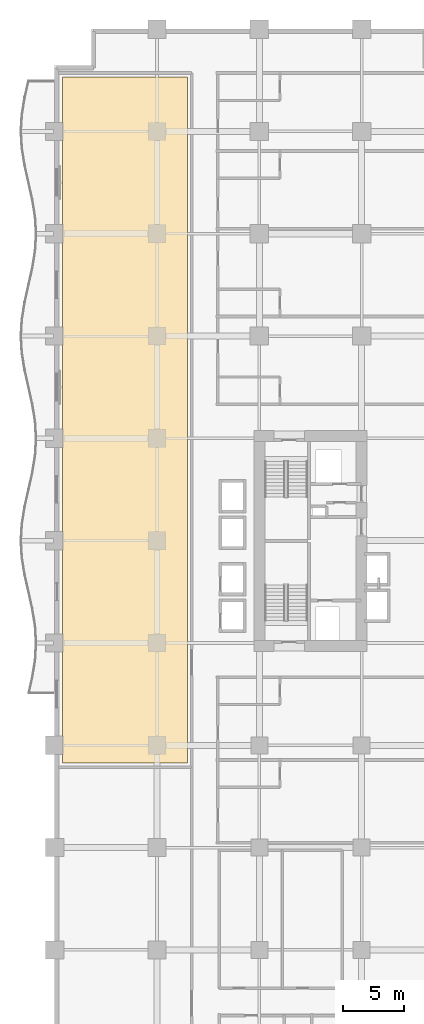
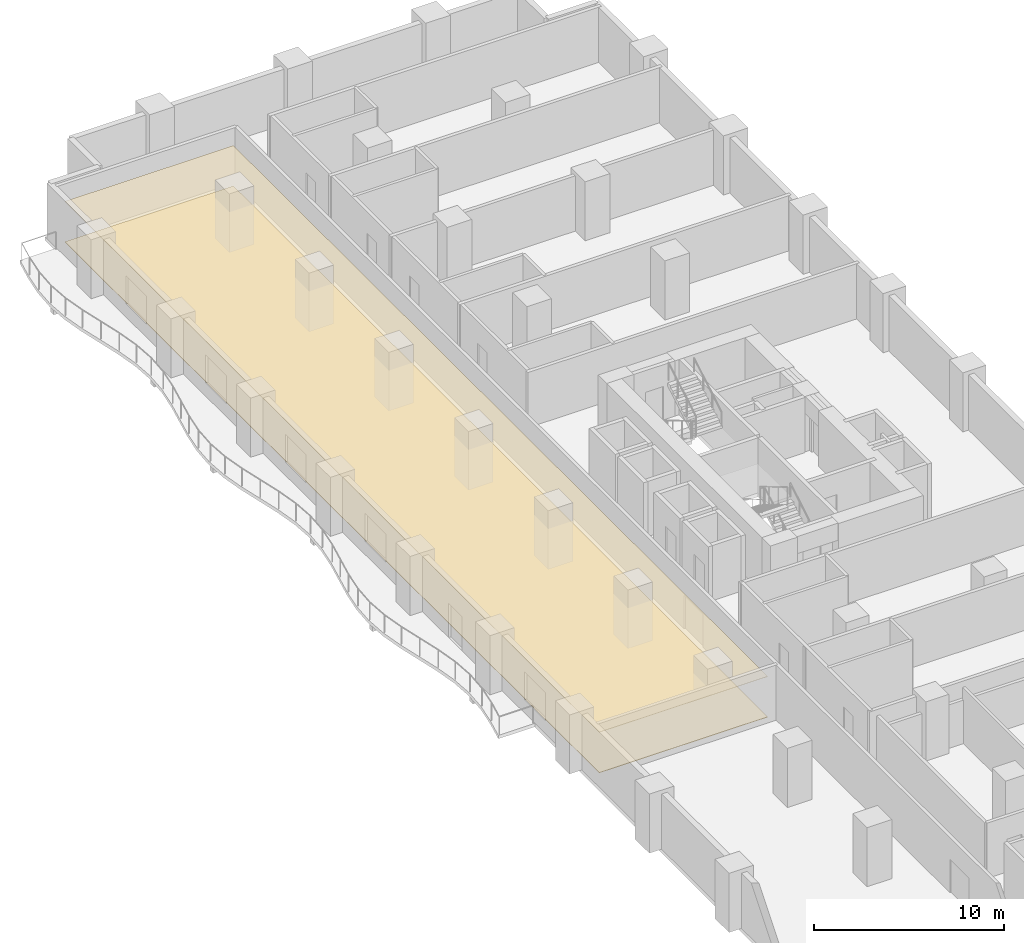
# One storey, part 25 of 27: 2 coverings.
"""IFC4 building model written with IfcOpenShell, lengths in metres."""

from ifc_helpers import new_model, si_unit, direction, frame, origin, place, context, subcontext, project, spatial, polyline, outline, extrude, material, layer, layer_set, type_object, element, save


model = new_model("IFC4")

# Units and contexts
model_context = context("Model", 3, precision=1e-05, world=origin(), true_north=direction((0.0, 1.0)))
body_context = subcontext(model_context, "Body", "Model", "MODEL_VIEW")
ifc_project = project(units=[si_unit("LENGTHUNIT", "METRE"), si_unit("AREAUNIT", "SQUARE_METRE"), si_unit("VOLUMEUNIT", "CUBIC_METRE"), si_unit("PLANEANGLEUNIT", "RADIAN"), si_unit("MASSUNIT", "GRAM", prefix="KILO")], contexts=[model_context])

# Site, building, storey
site_placement = place(None, origin())
site = spatial("IfcSite", under=ifc_project, at=site_placement, CompositionType="ELEMENT")
building_placement = place(site_placement, origin())
building = spatial("IfcBuilding", under=site, at=building_placement, Name="Koriwani Terraces Tower", CompositionType="ELEMENT")
storey_placement = place(building_placement, frame((0.0, 0.0, 54.800048828125)))
storey = spatial("IfcBuildingStorey", under=building, at=storey_placement, Name="L12", CompositionType="ELEMENT", Elevation=54.800048828125)

# Coverings
ifc_material_1 = material(Name="Fire-Rated Acoustic Gypsum Partition", Category="masonry")
ifc_layer_1 = layer(ifc_material_1, 0.02490234375, Name="Fire-Rated Acoustic Gypsum Partition")
ifc_layer_set_1 = layer_set([ifc_layer_1], Name="Fire-Rated Acoustic Gypsum Partition")
covering_type_1 = type_object("IfcCoveringType", Name="CEILING_ACOUSTIC_GYPSUM", PredefinedType="CEILING", material=ifc_layer_set_1)
covering_1_placement = place(storey_placement, frame((0.0, 0.0, 2.60498046875)))
element("IfcCovering", 1, at=covering_1_placement, inside=storey, type_object=covering_type_1, Name="L12 Suspended Acoustic Gypsum Ceiling", PredefinedType="CEILING", context=body_context, shape_type="SweptSolid", body=[
    extrude(outline(polyline([(0.64990234375, 32.14990234375), (0.64990234375, 88.449951171875), (10.89990234375, 88.449951171875), (10.89990234375, 32.14990234375), (0.64990234375, 32.14990234375)])), origin(), (0.0, 0.0, 1.0), 0.02490234375),
])
ifc_material_2 = material(Name="Polished Andean Slate Flooring", Category="masonry")
ifc_layer_2 = layer(ifc_material_2, 0.030029296875, Name="Polished Andean Slate Flooring")
ifc_layer_set_2 = layer_set([ifc_layer_2], Name="Polished Andean Slate Flooring")
covering_type_2 = type_object("IfcCoveringType", Name="FLOORING_ANDEAN_STONE", PredefinedType="FLOORING", material=ifc_layer_set_2)
covering_2_placement = place(storey_placement, origin())
element("IfcCovering", 2, at=covering_2_placement, inside=storey, type_object=covering_type_2, Name="L12 Polished Andean Slate Floor Finish", PredefinedType="FLOORING", context=body_context, shape_type="SweptSolid", body=[
    extrude(outline(polyline([(0.64990234375, 32.14990234375), (0.64990234375, 88.449951171875), (10.89990234375, 88.449951171875), (10.89990234375, 32.14990234375), (0.64990234375, 32.14990234375)])), origin(), (0.0, 0.0, 1.0), 0.030029296875),
])

save(model, "model.ifc")
